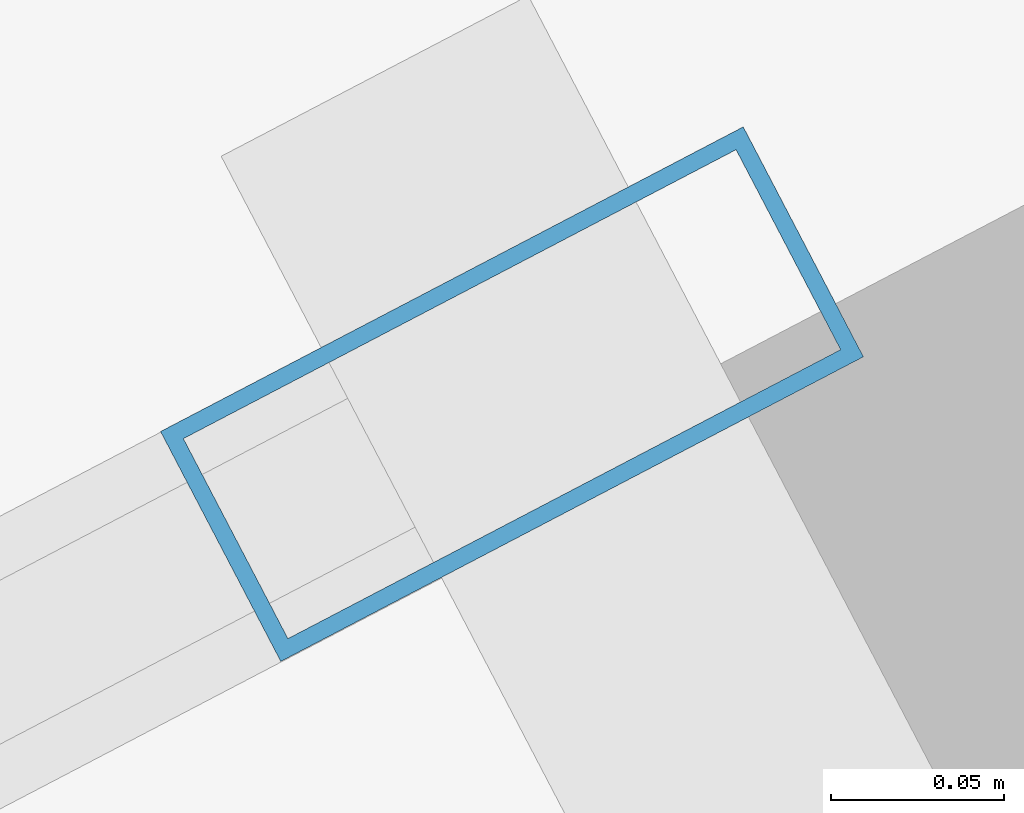
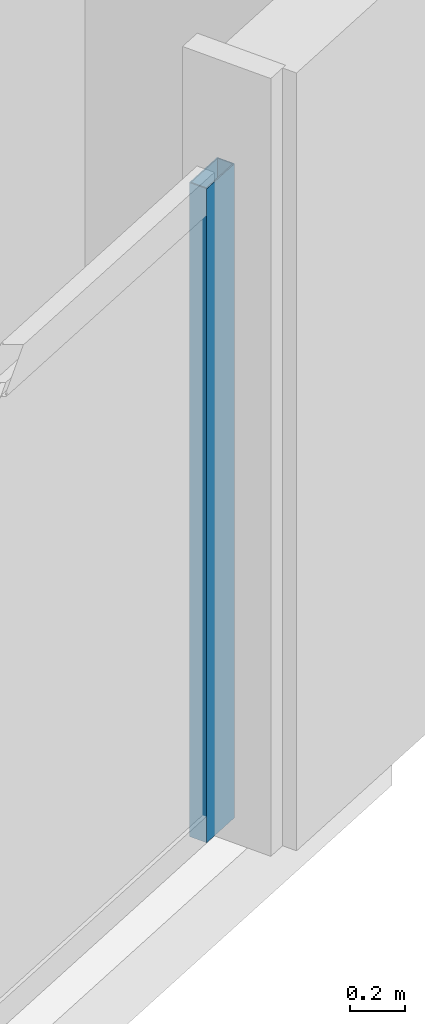
# One storey, part 11 of 33: 1 member, 1 element without a shape of its own.
"""IFC4 building model written with IfcOpenShell, lengths in metres."""

from ifc_helpers import new_model, si_unit, direction, frame, origin, origin_2d, place, context, subcontext, project, spatial, hollow_rectangle, extrude, material, material_profile, profile_set, type_object, element, aggregate, save


model = new_model("IFC4")

# Units and contexts
model_context = context("Model", 3, precision=1e-05, world=origin(), true_north=direction((0.0, 1.0)))
body_context = subcontext(model_context, "Body", "Model", "MODEL_VIEW")
ifc_project = project(units=[si_unit("LENGTHUNIT", "METRE"), si_unit("AREAUNIT", "SQUARE_METRE"), si_unit("VOLUMEUNIT", "CUBIC_METRE"), si_unit("PLANEANGLEUNIT", "RADIAN"), si_unit("MASSUNIT", "GRAM", prefix="KILO")], contexts=[model_context])

# Site, building, storey
site_placement = place(None, origin())
site = spatial("IfcSite", under=ifc_project, at=site_placement, CompositionType="ELEMENT")
building_placement = place(site_placement, origin())
building = spatial("IfcBuilding", under=site, at=building_placement, Name="Haldenkirk Collegiate Tower", CompositionType="ELEMENT")
storey_placement = place(building_placement, frame((0.0, 0.0, 120.449951171875)))
storey = spatial("IfcBuildingStorey", under=building, at=storey_placement, Name="L29", CompositionType="ELEMENT", Elevation=120.449951171875)

# Curtain wall, member
ifc_material = material(Name="Anodised architectural bronze aluminium", Category="aluminium")
curtain_wall_type = type_object("IfcCurtainWallType", Name="CW-SYS2-CONCAVE", PredefinedType="USERDEFINED", material=ifc_material)
curtain_wall_placement = place(storey_placement, origin())
curtain_wall = element("IfcCurtainWall", 1, at=curtain_wall_placement, inside=storey, type_object=curtain_wall_type, Name="L29 South concave recessed bronze-anodised curtain wall", ObjectType="UNITISED CURTAIN WALL", PredefinedType="USERDEFINED")
ifc_material_profile = material_profile(ifc_material, hollow_rectangle(XDim=0.074951171875, YDim=0.18994140625, WallThickness=0.0048828125, at=origin_2d()), Name="CW-MUL-02")
ifc_profile_set = profile_set([ifc_material_profile], Name="Anodised architectural bronze aluminium")
member_type = type_object("IfcMemberType", Name="CW-MUL-02", PredefinedType="MULLION", material=ifc_profile_set)
member_placement = place(storey_placement, frame((65.541748046875, 14.19873046875, 0.0), z_axis=(0.0, 0.0, 1.0), x_axis=(0.463296790536, -0.886203184309, 0.0)))
member = element("IfcMember", 2, at=member_placement, type_object=member_type, Name="CW-02 mullion 1", PredefinedType="MULLION", context=body_context, shape_type="SweptSolid", body=[
    extrude(hollow_rectangle(XDim=0.074951171875, YDim=0.18994140625, WallThickness=0.0048828125, at=origin_2d()), origin(), (0.0, 0.0, 1.0), 2.901123046875),
])
aggregate(curtain_wall, [member])

save(model, "model.ifc")
